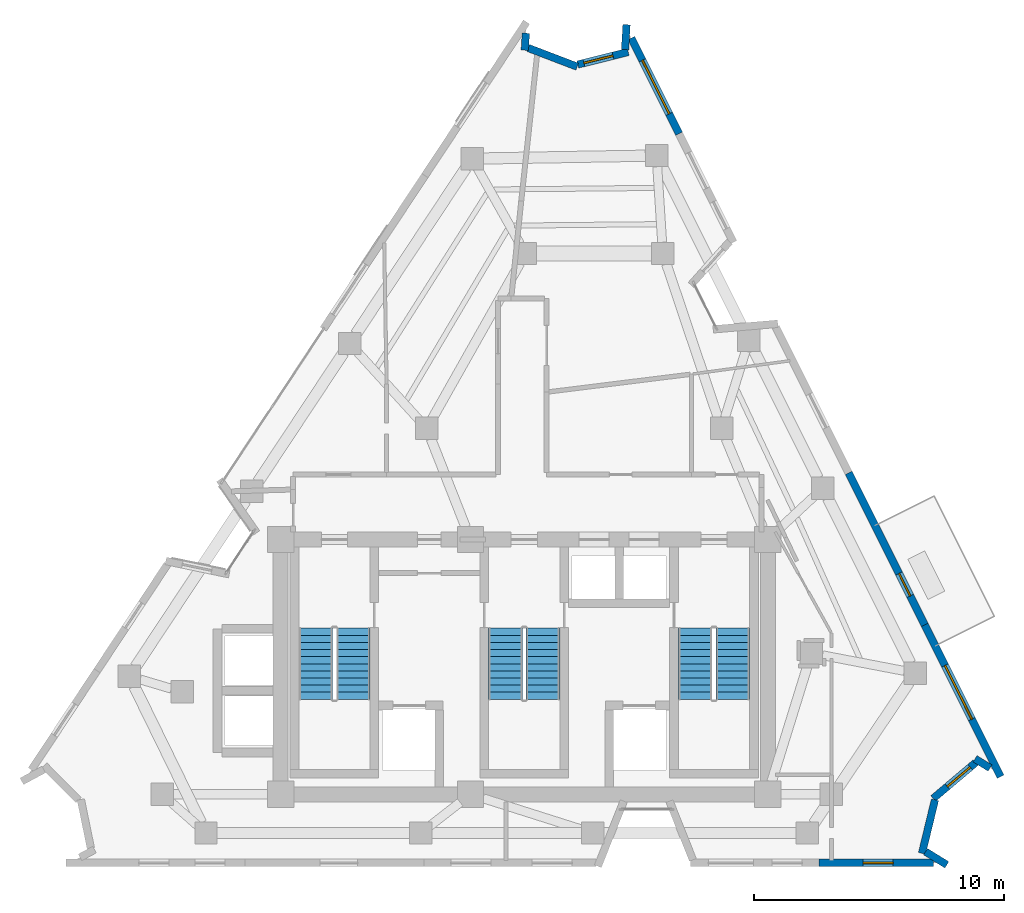
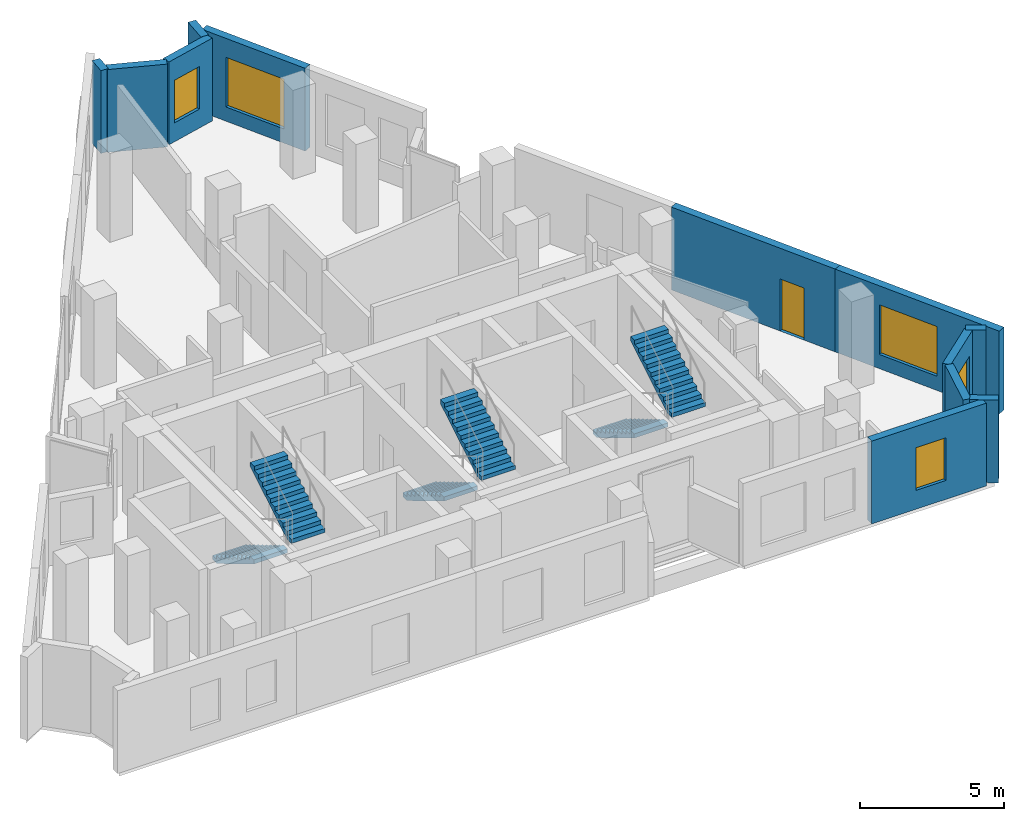
# One storey, part 7 of 9: 12 walls, 6 stair flights, 5 windows, 1 door, 6 openings, 3 elements without a shape of their own.
"""IFC4 building model written with IfcOpenShell, lengths in metres."""

from ifc_helpers import new_model, si_unit, direction, frame, frame_2d, origin, place, context, subcontext, project, spatial, polyline, rectangle, outline, extrude, material, layer, layer_set, type_object, element, fill, aggregate, save


model = new_model("IFC4")

# Units and contexts
model_context = context("Model", 3, precision=1e-05, world=origin(), true_north=direction((0.0, 1.0)))
body_context = subcontext(model_context, "Body", "Model", "MODEL_VIEW")
ifc_project = project(units=[si_unit("LENGTHUNIT", "METRE"), si_unit("AREAUNIT", "SQUARE_METRE"), si_unit("VOLUMEUNIT", "CUBIC_METRE"), si_unit("PLANEANGLEUNIT", "RADIAN"), si_unit("MASSUNIT", "GRAM", prefix="KILO")], contexts=[model_context])

# Site, building, storey
site_placement = place(None, origin())
site = spatial("IfcSite", under=ifc_project, at=site_placement, CompositionType="ELEMENT")
building_placement = place(site_placement, origin())
building = spatial("IfcBuilding", under=site, at=building_placement, Name="Almagre Mirador Tower", CompositionType="ELEMENT")
storey_placement = place(building_placement, frame((0.0, 0.0, 267.0)))
storey = spatial("IfcBuildingStorey", under=building, at=storey_placement, Name="L69", CompositionType="ELEMENT", Elevation=267.0)

# Walls
ifc_material_1 = material(Name="Precast concrete C50/60", Category="concrete")
ifc_layer = layer(ifc_material_1, 0.300048828125)
ifc_layer_set = layer_set([ifc_layer], Name="Precast concrete C50/60")
wall_type = type_object("IfcWallType", Name="WAL-EXT-300", PredefinedType="SOLIDWALL", material=ifc_layer_set)
wall_1_placement = place(storey_placement, frame((37.364990234375, 35.020751953125, 0.0), z_axis=(0.0, 0.0, 1.0), x_axis=(-0.060624262888, -0.998160657785, 0.0)))
element("IfcWall", 1, at=wall_1_placement, inside=storey, type_object=wall_type, Name="L69 expressed almagre precast frame wall 05", PredefinedType="SOLIDWALL", context=body_context, shape_type="SweptSolid", body=[
    extrude(rectangle(XDim=0.6845703125, YDim=0.300048828125, at=frame_2d((0.34228515625, 0.0))), origin(), (0.0, 0.0, 1.0), 3.5),
])
wall_2_placement = place(storey_placement, frame((37.45361328125, 34.4306640625, 0.0), z_axis=(0.0, 0.0, 1.0), x_axis=(0.934285742141, -0.356525107155, 0.0)))
element("IfcWall", 2, at=wall_2_placement, inside=storey, type_object=wall_type, Name="L69 expressed almagre precast frame wall 06", PredefinedType="SOLIDWALL", context=body_context, shape_type="SweptSolid", body=[
    extrude(rectangle(XDim=2.107666015625, YDim=0.300048828125, at=frame_2d((1.0537109375, 0.0))), origin(), (0.0, 0.0, 1.0), 3.5),
])

# Wall, opening, window
wall_3_placement = place(storey_placement, frame((39.4423828125, 33.766357421875, 0.0), z_axis=(0.0, 0.0, 1.0), x_axis=(0.970636719037, 0.240550118805, 0.0)))
wall_3 = element("IfcWall", 3, at=wall_3_placement, inside=storey, type_object=wall_type, Name="L69 expressed almagre precast frame wall 07", PredefinedType="SOLIDWALL", context=body_context, shape_type="SweptSolid", body=[
    extrude(rectangle(XDim=2.083740234375, YDim=0.300048828125, at=frame_2d((1.0419921875, 0.0))), origin(), (0.0, 0.0, 1.0), 3.5),
])
opening_1_placement = place(wall_3_placement, frame((0.2548828125, 0.0, 0.800048828125)))
opening_1 = element("IfcOpeningElement", 4, at=opening_1_placement, cuts=wall_3, Name="Opening WN-04", PredefinedType="OPENING", context=body_context, shape_type="SweptSolid", body=[
    extrude(rectangle(XDim=1.199951171875, YDim=1.800048828125, at=frame_2d((0.60009765625, 0.89990234375))), frame((0.0, 0.159902, 0.0), z_axis=(0.0, -1.0, 0.0), x_axis=(1.0, 0.0, 0.0)), (0.0, 0.0, 1.0), 0.320049),
])
ifc_material_2 = material(Name="Dark solar-control laminated hurricane glass", Category="glass")
window_type_1 = type_object("IfcWindowType", Name="WIN-1200X1800", PartitioningType="SINGLE_PANEL", PredefinedType="WINDOW", material=ifc_material_2)
window_1_placement = place(opening_1_placement, origin())
window_1 = element("IfcWindow", 5, at=window_1_placement, inside=storey, type_object=window_type_1, Name="L69 recessed hurricane window L69-RST-J", OverallHeight=1.800048828125, OverallWidth=1.199951171875, PartitioningType="SINGLE_PANEL", PredefinedType="WINDOW", context=body_context, shape_type="SweptSolid", body=[
    extrude(rectangle(XDim=1.199951171875, YDim=1.800048828125, at=frame_2d((0.60009765625, 0.89990234375))), frame((0.0, 0.030029296875, 0.0), z_axis=(0.0, -1.0, 0.0), x_axis=(1.0, 0.0, 0.0)), (0.0, 0.0, 1.0), 0.06005859375),
])
fill(opening_1, window_1)

# Wall
wall_4_placement = place(storey_placement, frame((41.3369140625, 34.36376953125, 0.0), z_axis=(0.0, 0.0, 1.0), x_axis=(0.060554036278, 0.998164920587, 0.0)))
element("IfcWall", 6, at=wall_4_placement, inside=storey, type_object=wall_type, Name="L69 expressed almagre precast frame wall 08", PredefinedType="SOLIDWALL", context=body_context, shape_type="SweptSolid", body=[
    extrude(rectangle(XDim=1.0, YDim=0.300048828125, at=frame_2d((0.5, 0.0))), origin(), (0.0, 0.0, 1.0), 3.5),
])

# Wall, opening, window
wall_5_placement = place(storey_placement, frame((41.587890625, 34.823974609375, 0.0), z_axis=(0.0, 0.0, 1.0), x_axis=(0.44728209068, -0.894392940131, 0.0)))
wall_5 = element("IfcWall", 7, at=wall_5_placement, inside=storey, type_object=wall_type, Name="L69 expressed almagre precast frame wall 09", PredefinedType="SOLIDWALL", context=body_context, shape_type="SweptSolid", body=[
    extrude(rectangle(XDim=4.277099609375, YDim=0.300048828125, at=frame_2d((2.138671875, 0.0))), origin(), (0.0, 0.0, 1.0), 3.5),
])
opening_2_placement = place(wall_5_placement, frame((0.989990234375, 0.0, 0.60009765625)))
opening_2 = element("IfcOpeningElement", 8, at=opening_2_placement, cuts=wall_5, Name="Opening WN-02", PredefinedType="OPENING", context=body_context, shape_type="SweptSolid", body=[
    extrude(rectangle(XDim=2.39990234375, YDim=2.10009765625, at=frame_2d((1.199951171875, 1.050048828125))), frame((0.0, 0.159902, 0.0), z_axis=(0.0, -1.0, 0.0), x_axis=(1.0, 0.0, 0.0)), (0.0, 0.0, 1.0), 0.320049),
])
ifc_material_3 = material(Name="Dark solar-control laminated hurricane glass", Category="glass")
window_type_2 = type_object("IfcWindowType", Name="WIN-2400X2100", PartitioningType="TRIPLE_PANEL_VERTICAL", PredefinedType="WINDOW", material=ifc_material_3)
window_2_placement = place(opening_2_placement, origin())
window_2 = element("IfcWindow", 9, at=window_2_placement, inside=storey, type_object=window_type_2, Name="L69 recessed hurricane window L69-RST-J", OverallHeight=2.10009765625, OverallWidth=2.39990234375, PartitioningType="SINGLE_PANEL", PredefinedType="WINDOW", context=body_context, shape_type="SweptSolid", body=[
    extrude(rectangle(XDim=2.39990234375, YDim=2.10009765625, at=frame_2d((1.199951171875, 1.050048828125))), frame((0.0, 0.030029296875, 0.0), z_axis=(0.0, -1.0, 0.0), x_axis=(1.0, 0.0, 0.0)), (0.0, 0.0, 1.0), 0.06005859375),
])
fill(opening_2, window_2)

# Wall, opening, door
wall_6_placement = place(storey_placement, frame((50.290771484375, 17.41845703125, 0.0), z_axis=(0.0, 0.0, 1.0), x_axis=(0.447227954985, -0.894420011113, 0.0)))
wall_6 = element("IfcWall", 10, at=wall_6_placement, inside=storey, type_object=wall_type, Name="L69 expressed almagre precast frame wall 14", PredefinedType="SOLIDWALL", context=body_context, shape_type="SweptSolid", body=[
    extrude(rectangle(XDim=6.80078125, YDim=0.300048828125, at=frame_2d((3.400390625, 0.0))), origin(), (0.0, 0.0, 1.0), 3.5),
])
opening_3_placement = place(wall_6_placement, frame((4.508544921875, 0.0, 0.0)))
opening_3 = element("IfcOpeningElement", 11, at=opening_3_placement, cuts=wall_6, Name="Opening BD-01", PredefinedType="OPENING", context=body_context, shape_type="SweptSolid", body=[
    extrude(rectangle(XDim=1.0, YDim=2.199951171875, at=frame_2d((0.5, 1.10009765625))), frame((0.0, 0.159902, 0.0), z_axis=(0.0, -1.0, 0.0), x_axis=(1.0, 0.0, 0.0)), (0.0, 0.0, 1.0), 0.320049),
])
ifc_material_4 = material(Name="Black anodized aluminium and laminated glass", Category="aluminium")
door_type = type_object("IfcDoorType", Name="DOR-BAL-1000X2200", OperationType="NOTDEFINED", PredefinedType="DOOR", material=ifc_material_4)
door_placement = place(opening_3_placement, origin())
door = element("IfcDoor", 12, at=door_placement, inside=storey, type_object=door_type, Name="DR-2095 L69 east balcony glazed door 1", OperationType="SINGLE_SWING_RIGHT", OverallHeight=2.199951171875, OverallWidth=1.0, PredefinedType="DOOR", context=body_context, shape_type="SweptSolid", body=[
    extrude(rectangle(XDim=1.0, YDim=2.199951171875, at=frame_2d((0.5, 1.10009765625))), frame((0.0, 0.02490234375, 0.0), z_axis=(0.0, -1.0, 0.0), x_axis=(1.0, 0.0, 0.0)), (0.0, 0.0, 1.0), 0.050048828125),
])
fill(opening_3, door)

# Wall, opening, window
wall_7_placement = place(storey_placement, frame((53.332275390625, 11.335693359375, 0.0), z_axis=(0.0, 0.0, 1.0), x_axis=(0.447184876645, -0.894441549851, 0.0)))
wall_7 = element("IfcWall", 13, at=wall_7_placement, inside=storey, type_object=wall_type, Name="L69 expressed almagre precast frame wall 15", PredefinedType="SOLIDWALL", context=body_context, shape_type="SweptSolid", body=[
    extrude(rectangle(XDim=6.80078125, YDim=0.300048828125, at=frame_2d((3.400390625, 0.0))), origin(), (0.0, 0.0, 1.0), 3.5),
])
opening_4_placement = place(wall_7_placement, frame((1.824951171875, 0.0, 0.60009765625)))
opening_4 = element("IfcOpeningElement", 14, at=opening_4_placement, cuts=wall_7, Name="Opening WN-02", PredefinedType="OPENING", context=body_context, shape_type="SweptSolid", body=[
    extrude(rectangle(XDim=2.39990234375, YDim=2.10009765625, at=frame_2d((1.199951171875, 1.050048828125))), frame((0.0, 0.159902, 0.0), z_axis=(0.0, -1.0, 0.0), x_axis=(1.0, 0.0, 0.0)), (0.0, 0.0, 1.0), 0.320049),
])
window_3_placement = place(opening_4_placement, origin())
window_3 = element("IfcWindow", 15, at=window_3_placement, inside=storey, type_object=window_type_2, Name="L69 recessed hurricane window L69-RST-E", OverallHeight=2.10009765625, OverallWidth=2.39990234375, PartitioningType="SINGLE_PANEL", PredefinedType="WINDOW", context=body_context, shape_type="SweptSolid", body=[
    extrude(rectangle(XDim=2.39990234375, YDim=2.10009765625, at=frame_2d((1.199951171875, 1.050048828125))), frame((0.0, 0.030029296875, 0.0), z_axis=(0.0, -1.0, 0.0), x_axis=(1.0, 0.0, 0.0)), (0.0, 0.0, 1.0), 0.06005859375),
])
fill(opening_4, window_3)

# Wall
wall_8_placement = place(storey_placement, frame((55.949462890625, 5.601318359375, 0.0), z_axis=(0.0, 0.0, 1.0), x_axis=(-0.850788886824, 0.525507630827, 0.0)))
element("IfcWall", 16, at=wall_8_placement, inside=storey, type_object=wall_type, Name="L69 expressed almagre precast frame wall 16", PredefinedType="SOLIDWALL", context=body_context, shape_type="SweptSolid", body=[
    extrude(rectangle(XDim=0.704833984375, YDim=0.300048828125, at=frame_2d((0.3525390625, 0.0))), origin(), (0.0, 0.0, 1.0), 3.5),
])

# Wall, opening, window
wall_9_placement = place(storey_placement, frame((55.36962890625, 5.814208984375, 0.0), z_axis=(0.0, 0.0, 1.0), x_axis=(-0.76399862009, -0.645217876768, 0.0)))
wall_9 = element("IfcWall", 17, at=wall_9_placement, inside=storey, type_object=wall_type, Name="L69 expressed almagre precast frame wall 17", PredefinedType="SOLIDWALL", context=body_context, shape_type="SweptSolid", body=[
    extrude(rectangle(XDim=2.221923828125, YDim=0.300048828125, at=frame_2d((1.11083984375, 0.0))), origin(), (0.0, 0.0, 1.0), 3.5),
])
opening_5_placement = place(wall_9_placement, frame((0.280029296875, 0.0, 0.800048828125)))
opening_5 = element("IfcOpeningElement", 18, at=opening_5_placement, cuts=wall_9, Name="Opening WN-04", PredefinedType="OPENING", context=body_context, shape_type="SweptSolid", body=[
    extrude(rectangle(XDim=1.199951171875, YDim=1.800048828125, at=frame_2d((0.60009765625, 0.89990234375))), frame((0.0, 0.159902, 0.0), z_axis=(0.0, -1.0, 0.0), x_axis=(1.0, 0.0, 0.0)), (0.0, 0.0, 1.0), 0.320049),
])
window_4_placement = place(opening_5_placement, origin())
window_4 = element("IfcWindow", 19, at=window_4_placement, inside=storey, type_object=window_type_1, Name="L69 recessed hurricane window L69-RST-E", OverallHeight=1.800048828125, OverallWidth=1.199951171875, PartitioningType="SINGLE_PANEL", PredefinedType="WINDOW", context=body_context, shape_type="SweptSolid", body=[
    extrude(rectangle(XDim=1.199951171875, YDim=1.800048828125, at=frame_2d((0.60009765625, 0.89990234375))), frame((0.0, 0.030029296875, 0.0), z_axis=(0.0, -1.0, 0.0), x_axis=(1.0, 0.0, 0.0)), (0.0, 0.0, 1.0), 0.06005859375),
])
fill(opening_5, window_4)

# Walls
wall_10_placement = place(storey_placement, frame((53.744873046875, 4.330078125, 0.0), z_axis=(0.0, 0.0, 1.0), x_axis=(-0.235375358003, -0.971904543073, 0.0)))
element("IfcWall", 20, at=wall_10_placement, inside=storey, type_object=wall_type, Name="L69 expressed almagre precast frame wall 18", PredefinedType="SOLIDWALL", context=body_context, shape_type="SweptSolid", body=[
    extrude(rectangle(XDim=2.208251953125, YDim=0.300048828125, at=frame_2d((1.10400390625, 0.0))), origin(), (0.0, 0.0, 1.0), 3.5),
])
wall_11_placement = place(storey_placement, frame((53.36865234375, 2.251708984375, 0.0), z_axis=(0.0, 0.0, 1.0), x_axis=(0.85071769282, -0.52562287538, 0.0)))
element("IfcWall", 21, at=wall_11_placement, inside=storey, type_object=wall_type, Name="L69 expressed almagre precast frame wall 19", PredefinedType="SOLIDWALL", context=body_context, shape_type="SweptSolid", body=[
    extrude(rectangle(XDim=0.99951171875, YDim=0.300048828125, at=frame_2d((0.499755859375, 0.0))), origin(), (0.0, 0.0, 1.0), 3.5),
])

# Wall, opening, window
wall_12_placement = place(storey_placement, frame((53.679931640625, 1.800048828125, 0.0), z_axis=(0.0, 0.0, 1.0), x_axis=(-1.0, 0.0, 0.0)))
wall_12 = element("IfcWall", 22, at=wall_12_placement, inside=storey, type_object=wall_type, Name="L69 expressed almagre precast frame wall 20", PredefinedType="SOLIDWALL", context=body_context, shape_type="SweptSolid", body=[
    extrude(rectangle(XDim=4.579833984375, YDim=0.300048828125, at=frame_2d((2.2900390625, 0.0))), origin(), (0.0, 0.0, 1.0), 3.5),
])
opening_6_placement = place(wall_12_placement, frame((1.614990234375, 0.0, 0.800048828125)))
opening_6 = element("IfcOpeningElement", 23, at=opening_6_placement, cuts=wall_12, Name="Opening WN-04", PredefinedType="OPENING", context=body_context, shape_type="SweptSolid", body=[
    extrude(rectangle(XDim=1.199951171875, YDim=1.800048828125, at=frame_2d((0.60009765625, 0.89990234375))), frame((0.0, 0.159902, 0.0), z_axis=(0.0, -1.0, 0.0), x_axis=(1.0, 0.0, 0.0)), (0.0, 0.0, 1.0), 0.320049),
])
window_5_placement = place(opening_6_placement, origin())
window_5 = element("IfcWindow", 24, at=window_5_placement, inside=storey, type_object=window_type_1, Name="L69 recessed hurricane window L69-UC-ST", OverallHeight=1.800048828125, OverallWidth=1.199951171875, PartitioningType="SINGLE_PANEL", PredefinedType="WINDOW", context=body_context, shape_type="SweptSolid", body=[
    extrude(rectangle(XDim=1.199951171875, YDim=1.800048828125, at=frame_2d((0.60009765625, 0.89990234375))), frame((0.0, 0.030029296875, 0.0), z_axis=(0.0, -1.0, 0.0), x_axis=(1.0, 0.0, 0.0)), (0.0, 0.0, 1.0), 0.06005859375),
])
fill(opening_6, window_5)

# Stair, stair flights
ifc_material_5 = material(Name="Concrete C45/55", Category="concrete")
stair_type = type_object("IfcStairType", Name="STR-DL-3750", PredefinedType="HALF_TURN_STAIR", material=ifc_material_5)
stair_1_placement = place(storey_placement, origin())
stair_1 = element("IfcStair", 25, at=stair_1_placement, inside=storey, type_object=stair_type, Name="L69 Protected exit stair ST-1", PredefinedType="HALF_TURN_STAIR")
ifc_material_6 = material(Name="Concrete C45/55", Category="concrete")
stair_flight_type = type_object("IfcStairFlightType", Name="FLT-DL-3750", PredefinedType="STRAIGHT", material=ifc_material_6)
stair_flight_1_placement = place(storey_placement, frame((28.949951171875, 11.199951171875, 0.0), z_axis=(0.0, 0.0, 1.0), x_axis=(0.0, -1.0, 0.0)))
stair_flight_1 = element("IfcStairFlight", 26, at=stair_flight_1_placement, type_object=stair_flight_type, Name="ST-1 flight 1", NumberOfRisers=11, NumberOfTreads=10, PredefinedType="STRAIGHT", RiserHeight=0.170454545, TreadLength=0.285, context=body_context, shape_type="SweptSolid", body=[
    extrude(outline(polyline([(0.0, 0.0), (0.0, 0.17041015625), (0.284912109375, 0.17041015625), (0.284912109375, 0.3408203125), (0.570068359375, 0.3408203125), (0.570068359375, 0.511474609375), (0.85498046875, 0.511474609375), (0.85498046875, 0.681884765625), (1.139892578125, 0.681884765625), (1.139892578125, 0.852294921875), (1.425048828125, 0.852294921875), (1.425048828125, 1.022705078125), (1.7099609375, 1.022705078125), (1.7099609375, 1.193115234375), (1.9951171875, 1.193115234375), (1.9951171875, 1.363525390625), (2.280029296875, 1.363525390625), (2.280029296875, 1.5341796875), (2.56494140625, 1.5341796875), (2.56494140625, 1.70458984375), (2.85009765625, 1.70458984375), (2.85009765625, 1.875), (2.85009765625, 1.52978515625), (0.2919921875, 0.0), (0.0, 0.0)])), frame((0.0, 0.675048828125, 0.0), z_axis=(0.0, -1.0, 0.0), x_axis=(1.0, 0.0, 0.0)), (0.0, 0.0, 1.0), 1.35009765625),
])
stair_flight_2_placement = place(storey_placement, frame((30.449951171875, 8.35009765625, 1.875), z_axis=(0.0, 0.0, 1.0), x_axis=(0.0, 1.0, 0.0)))
stair_flight_2 = element("IfcStairFlight", 27, at=stair_flight_2_placement, type_object=stair_flight_type, Name="ST-1 flight 2", NumberOfRisers=11, NumberOfTreads=10, PredefinedType="STRAIGHT", RiserHeight=0.170454545, TreadLength=0.285, context=body_context, shape_type="SweptSolid", body=[
    extrude(outline(polyline([(0.0, 0.0), (0.0, 0.17041015625), (0.284912109375, 0.17041015625), (0.284912109375, 0.3408203125), (0.570068359375, 0.3408203125), (0.570068359375, 0.511474609375), (0.85498046875, 0.511474609375), (0.85498046875, 0.681884765625), (1.139892578125, 0.681884765625), (1.139892578125, 0.852294921875), (1.425048828125, 0.852294921875), (1.425048828125, 1.022705078125), (1.7099609375, 1.022705078125), (1.7099609375, 1.193115234375), (1.9951171875, 1.193115234375), (1.9951171875, 1.363525390625), (2.280029296875, 1.363525390625), (2.280029296875, 1.5341796875), (2.56494140625, 1.5341796875), (2.56494140625, 1.70458984375), (2.85009765625, 1.70458984375), (2.85009765625, 1.875), (2.85009765625, 1.52978515625), (0.2919921875, 0.0), (0.0, 0.0)])), frame((0.0, 0.675048828125, 0.0), z_axis=(0.0, -1.0, 0.0), x_axis=(1.0, 0.0, 0.0)), (0.0, 0.0, 1.0), 1.35009765625),
])
aggregate(stair_1, [stair_flight_1, stair_flight_2])

stair_2_placement = place(storey_placement, origin())
stair_2 = element("IfcStair", 28, at=stair_2_placement, inside=storey, type_object=stair_type, Name="L69 Protected exit stair ST-2", PredefinedType="HALF_TURN_STAIR")
stair_flight_3_placement = place(storey_placement, frame((36.550048828125, 11.199951171875, 0.0), z_axis=(0.0, 0.0, 1.0), x_axis=(0.0, -1.0, 0.0)))
stair_flight_3 = element("IfcStairFlight", 29, at=stair_flight_3_placement, type_object=stair_flight_type, Name="ST-2 flight 1", NumberOfRisers=11, NumberOfTreads=10, PredefinedType="STRAIGHT", RiserHeight=0.170454545, TreadLength=0.285, context=body_context, shape_type="SweptSolid", body=[
    extrude(outline(polyline([(0.0, 0.0), (0.0, 0.17041015625), (0.284912109375, 0.17041015625), (0.284912109375, 0.3408203125), (0.570068359375, 0.3408203125), (0.570068359375, 0.511474609375), (0.85498046875, 0.511474609375), (0.85498046875, 0.681884765625), (1.139892578125, 0.681884765625), (1.139892578125, 0.852294921875), (1.425048828125, 0.852294921875), (1.425048828125, 1.022705078125), (1.7099609375, 1.022705078125), (1.7099609375, 1.193115234375), (1.9951171875, 1.193115234375), (1.9951171875, 1.363525390625), (2.280029296875, 1.363525390625), (2.280029296875, 1.5341796875), (2.56494140625, 1.5341796875), (2.56494140625, 1.70458984375), (2.85009765625, 1.70458984375), (2.85009765625, 1.875), (2.85009765625, 1.52978515625), (0.2919921875, 0.0), (0.0, 0.0)])), frame((0.0, 0.675048828125, 0.0), z_axis=(0.0, -1.0, 0.0), x_axis=(1.0, 0.0, 0.0)), (0.0, 0.0, 1.0), 1.35009765625),
])
stair_flight_4_placement = place(storey_placement, frame((38.050048828125, 8.35009765625, 1.875), z_axis=(0.0, 0.0, 1.0), x_axis=(0.0, 1.0, 0.0)))
stair_flight_4 = element("IfcStairFlight", 30, at=stair_flight_4_placement, type_object=stair_flight_type, Name="ST-2 flight 2", NumberOfRisers=11, NumberOfTreads=10, PredefinedType="STRAIGHT", RiserHeight=0.170454545, TreadLength=0.285, context=body_context, shape_type="SweptSolid", body=[
    extrude(outline(polyline([(0.0, 0.0), (0.0, 0.17041015625), (0.284912109375, 0.17041015625), (0.284912109375, 0.3408203125), (0.570068359375, 0.3408203125), (0.570068359375, 0.511474609375), (0.85498046875, 0.511474609375), (0.85498046875, 0.681884765625), (1.139892578125, 0.681884765625), (1.139892578125, 0.852294921875), (1.425048828125, 0.852294921875), (1.425048828125, 1.022705078125), (1.7099609375, 1.022705078125), (1.7099609375, 1.193115234375), (1.9951171875, 1.193115234375), (1.9951171875, 1.363525390625), (2.280029296875, 1.363525390625), (2.280029296875, 1.5341796875), (2.56494140625, 1.5341796875), (2.56494140625, 1.70458984375), (2.85009765625, 1.70458984375), (2.85009765625, 1.875), (2.85009765625, 1.52978515625), (0.2919921875, 0.0), (0.0, 0.0)])), frame((0.0, 0.675048828125, 0.0), z_axis=(0.0, -1.0, 0.0), x_axis=(1.0, 0.0, 0.0)), (0.0, 0.0, 1.0), 1.35009765625),
])
aggregate(stair_2, [stair_flight_3, stair_flight_4])

stair_3_placement = place(storey_placement, origin())
stair_3 = element("IfcStair", 31, at=stair_3_placement, inside=storey, type_object=stair_type, Name="L69 Protected exit stair ST-3", PredefinedType="HALF_TURN_STAIR")
stair_flight_5_placement = place(storey_placement, frame((44.14990234375, 11.199951171875, 0.0), z_axis=(0.0, 0.0, 1.0), x_axis=(0.0, -1.0, 0.0)))
stair_flight_5 = element("IfcStairFlight", 32, at=stair_flight_5_placement, type_object=stair_flight_type, Name="ST-3 flight 1", NumberOfRisers=11, NumberOfTreads=10, PredefinedType="STRAIGHT", RiserHeight=0.170454545, TreadLength=0.285, context=body_context, shape_type="SweptSolid", body=[
    extrude(outline(polyline([(0.0, 0.0), (0.0, 0.17041015625), (0.284912109375, 0.17041015625), (0.284912109375, 0.3408203125), (0.570068359375, 0.3408203125), (0.570068359375, 0.511474609375), (0.85498046875, 0.511474609375), (0.85498046875, 0.681884765625), (1.139892578125, 0.681884765625), (1.139892578125, 0.852294921875), (1.425048828125, 0.852294921875), (1.425048828125, 1.022705078125), (1.7099609375, 1.022705078125), (1.7099609375, 1.193115234375), (1.9951171875, 1.193115234375), (1.9951171875, 1.363525390625), (2.280029296875, 1.363525390625), (2.280029296875, 1.5341796875), (2.56494140625, 1.5341796875), (2.56494140625, 1.70458984375), (2.85009765625, 1.70458984375), (2.85009765625, 1.875), (2.85009765625, 1.52978515625), (0.2919921875, 0.0), (0.0, 0.0)])), frame((0.0, 0.675048828125, 0.0), z_axis=(0.0, -1.0, 0.0), x_axis=(1.0, 0.0, 0.0)), (0.0, 0.0, 1.0), 1.35009765625),
])
stair_flight_6_placement = place(storey_placement, frame((45.64990234375, 8.35009765625, 1.875), z_axis=(0.0, 0.0, 1.0), x_axis=(0.0, 1.0, 0.0)))
stair_flight_6 = element("IfcStairFlight", 33, at=stair_flight_6_placement, type_object=stair_flight_type, Name="ST-3 flight 2", NumberOfRisers=11, NumberOfTreads=10, PredefinedType="STRAIGHT", RiserHeight=0.170454545, TreadLength=0.285, context=body_context, shape_type="SweptSolid", body=[
    extrude(outline(polyline([(0.0, 0.0), (0.0, 0.17041015625), (0.284912109375, 0.17041015625), (0.284912109375, 0.3408203125), (0.570068359375, 0.3408203125), (0.570068359375, 0.511474609375), (0.85498046875, 0.511474609375), (0.85498046875, 0.681884765625), (1.139892578125, 0.681884765625), (1.139892578125, 0.852294921875), (1.425048828125, 0.852294921875), (1.425048828125, 1.022705078125), (1.7099609375, 1.022705078125), (1.7099609375, 1.193115234375), (1.9951171875, 1.193115234375), (1.9951171875, 1.363525390625), (2.280029296875, 1.363525390625), (2.280029296875, 1.5341796875), (2.56494140625, 1.5341796875), (2.56494140625, 1.70458984375), (2.85009765625, 1.70458984375), (2.85009765625, 1.875), (2.85009765625, 1.52978515625), (0.2919921875, 0.0), (0.0, 0.0)])), frame((0.0, 0.675048828125, 0.0), z_axis=(0.0, -1.0, 0.0), x_axis=(1.0, 0.0, 0.0)), (0.0, 0.0, 1.0), 1.35009765625),
])
aggregate(stair_3, [stair_flight_5, stair_flight_6])

save(model, "model.ifc")
